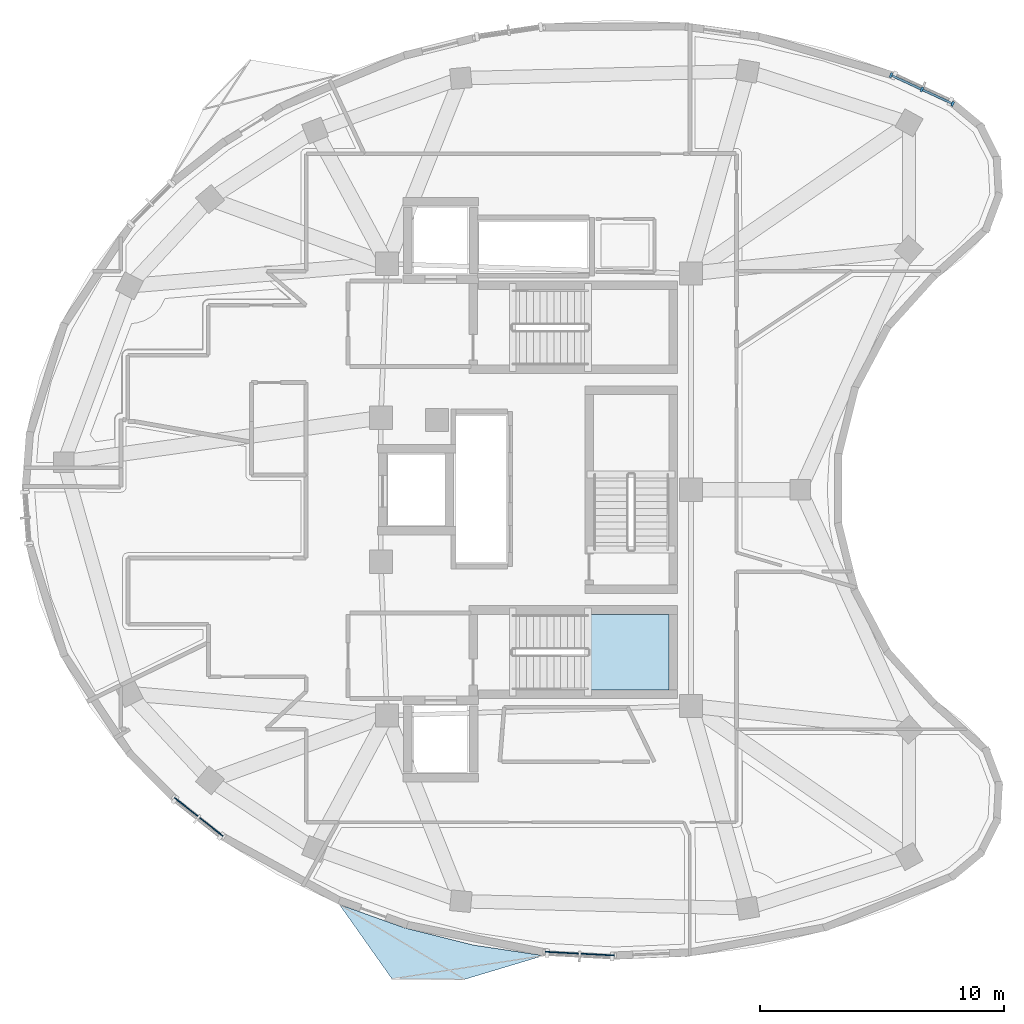
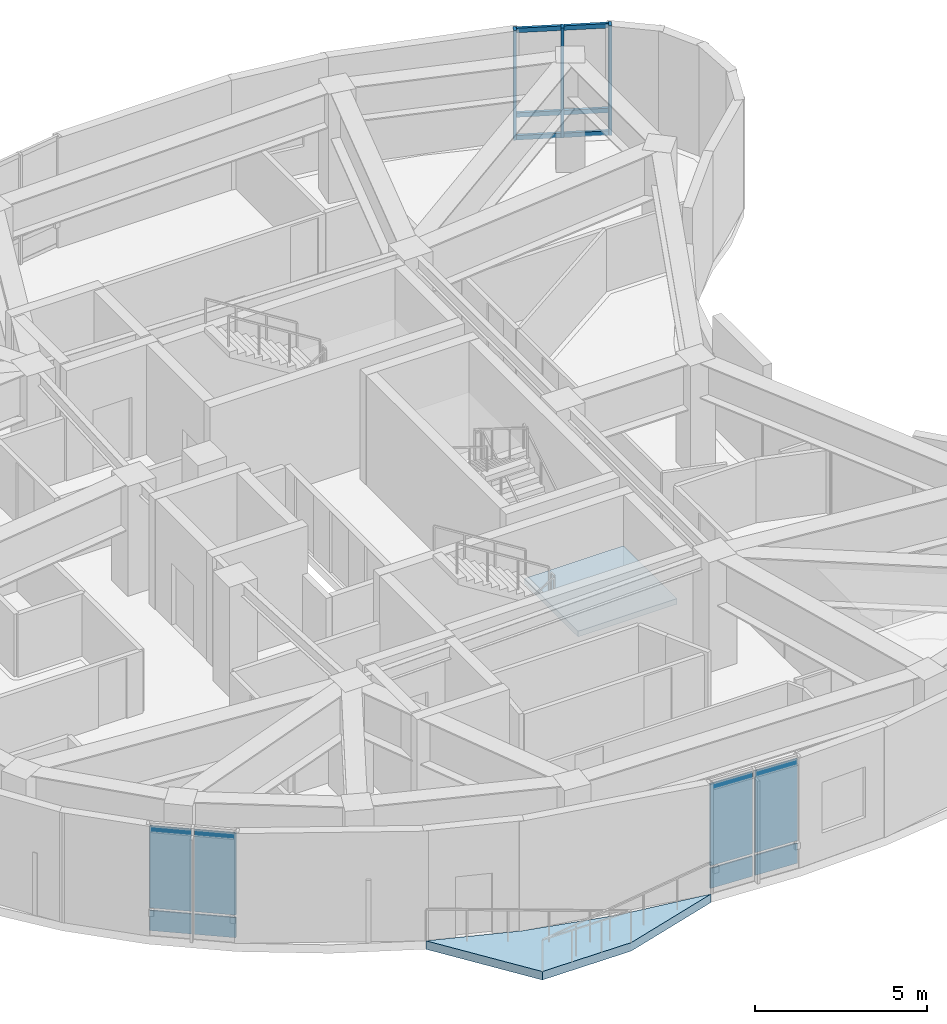
# One storey, part 4 of 12: 9 members, 8 plates, 2 slabs, 4 elements without a shape of their own.
"""IFC4 building model written with IfcOpenShell, lengths in metres."""

from ifc_helpers import new_model, si_unit, direction, frame, origin, origin_2d, place, context, subcontext, project, spatial, polyline, rectangle, outline, extrude, material, layer, layer_set, material_profile, profile_set, type_object, element, aggregate, save


model = new_model("IFC4")

# Units and contexts
model_context = context("Model", 3, precision=1e-05, world=origin(), true_north=direction((0.0, 1.0)))
body_context = subcontext(model_context, "Body", "Model", "MODEL_VIEW")
ifc_project = project(units=[si_unit("LENGTHUNIT", "METRE"), si_unit("AREAUNIT", "SQUARE_METRE"), si_unit("VOLUMEUNIT", "CUBIC_METRE"), si_unit("PLANEANGLEUNIT", "RADIAN"), si_unit("MASSUNIT", "GRAM", prefix="KILO")], contexts=[model_context])

# Site, building, storey
site_placement = place(None, origin())
site = spatial("IfcSite", under=ifc_project, at=site_placement, CompositionType="ELEMENT")
building_placement = place(site_placement, origin())
building = spatial("IfcBuilding", under=site, at=building_placement, Name="Korentha Bioscience Tower", CompositionType="ELEMENT")
storey_placement = place(building_placement, frame((0.0, 0.0, 297.60009765625)))
storey = spatial("IfcBuildingStorey", under=building, at=storey_placement, Name="L68", CompositionType="ELEMENT", Elevation=297.60009765625)

# Curtain wall, members
ifc_material_1 = material(Name="Thermally Broken Aluminium Frame", Category="aluminium")
ifc_layer_1 = layer(ifc_material_1, 0.219970703125, Name="Thermally Broken Aluminium Frame")
ifc_layer_set_1 = layer_set([ifc_layer_1], Name="Thermally Broken Aluminium Frame (CW-T2)")
curtain_wall_type = type_object("IfcCurtainWallType", Name="Solar-Screened Lab Unitised Curtain Wall CW-T2", PredefinedType="USERDEFINED", material=ifc_layer_set_1)
curtain_wall_1_placement = place(storey_placement, origin())
curtain_wall_1 = element("IfcCurtainWall", 1, at=curtain_wall_1_placement, inside=storey, type_object=curtain_wall_type, Name="L68 Curtain Wall 01", ObjectType="UNITISED", PredefinedType="USERDEFINED")
ifc_material_2 = material(Name="Anodised Aluminium 6063-T6", Category="aluminium")
ifc_material_profile_1 = material_profile(ifc_material_2, rectangle(XDim=0.090087890625, YDim=0.199951171875, at=origin_2d()), Name="Anodised Aluminium 6063-T6")
ifc_profile_set_1 = profile_set([ifc_material_profile_1], Name="Anodised Aluminium 6063-T6 (CW-MUL)")
member_type_1 = type_object("IfcMemberType", Name="Mullion RECT 90x200", PredefinedType="MULLION", material=ifc_profile_set_1)
member_1_placement = place(storey_placement, frame((48.2646484375, 42.802490234375, 0.0), z_axis=(0.0, 0.0, 1.0), x_axis=(-0.907204022278, 0.420690934016, 0.0)))
member_1 = element("IfcMember", 2, at=member_1_placement, type_object=member_type_1, Name="CW-L68-01 Mullion 1", PredefinedType="MULLION", context=body_context, shape_type="SweptSolid", body=[
    extrude(rectangle(XDim=0.090087890625, YDim=0.199951171875, at=origin_2d()), origin(), (0.0, 0.0, 1.0), 3.89990234375),
])
member_2_placement = place(storey_placement, frame((47.002197265625, 43.387939453125, 0.0), z_axis=(0.0, 0.0, 1.0), x_axis=(-0.907204022278, 0.420690934016, 0.0)))
member_2 = element("IfcMember", 3, at=member_2_placement, type_object=member_type_1, Name="CW-L68-01 Mullion 2", PredefinedType="MULLION", context=body_context, shape_type="SweptSolid", body=[
    extrude(rectangle(XDim=0.090087890625, YDim=0.199951171875, at=origin_2d()), origin(), (0.0, 0.0, 1.0), 3.89990234375),
])
member_3_placement = place(storey_placement, frame((45.739990234375, 43.973388671875, 0.0), z_axis=(0.0, 0.0, 1.0), x_axis=(-0.907204022278, 0.420690934016, 0.0)))
member_3 = element("IfcMember", 4, at=member_3_placement, type_object=member_type_1, Name="CW-L68-01 Mullion 3", PredefinedType="MULLION", context=body_context, shape_type="SweptSolid", body=[
    extrude(rectangle(XDim=0.090087890625, YDim=0.199951171875, at=origin_2d()), origin(), (0.0, 0.0, 1.0), 3.89990234375),
])
ifc_material_profile_2 = material_profile(ifc_material_2, rectangle(XDim=0.090087890625, YDim=0.159912109375, at=origin_2d()), Name="Anodised Aluminium 6063-T6")
ifc_profile_set_2 = profile_set([ifc_material_profile_2], Name="Anodised Aluminium 6063-T6 (CW-TRN)")
member_type_2 = type_object("IfcMemberType", Name="Transom RECT 90x160", PredefinedType="USERDEFINED", material=ifc_profile_set_2)
member_4_placement = place(storey_placement, frame((48.223876953125, 42.821533203125, 0.044921875), z_axis=(-0.907172669062, 0.420758539435, 0.0), x_axis=(-0.420758539435, -0.907172669062, 0.0)))
member_4 = element("IfcMember", 5, at=member_4_placement, type_object=member_type_2, Name="CW-L68-01 Bay 1 Transom 1", ObjectType="TRANSOM", PredefinedType="USERDEFINED", context=body_context, shape_type="SweptSolid", body=[
    extrude(rectangle(XDim=0.090087890625, YDim=0.159912109375, at=origin_2d()), origin(), (0.0, 0.0, 1.0), 1.301513671875),
])
member_5_placement = place(storey_placement, frame((48.223876953125, 42.821533203125, 0.849853515625), z_axis=(-0.907172669062, 0.420758539435, 0.0), x_axis=(-0.420758539435, -0.907172669062, 0.0)))
member_5 = element("IfcMember", 6, at=member_5_placement, type_object=member_type_2, Name="CW-L68-01 Bay 1 Transom 2", ObjectType="TRANSOM", PredefinedType="USERDEFINED", context=body_context, shape_type="SweptSolid", body=[
    extrude(rectangle(XDim=0.090087890625, YDim=0.159912109375, at=origin_2d()), origin(), (0.0, 0.0, 1.0), 1.301513671875),
])
member_6_placement = place(storey_placement, frame((48.223876953125, 42.821533203125, 3.85498046875), z_axis=(-0.907172669062, 0.420758539435, 0.0), x_axis=(-0.420758539435, -0.907172669062, 0.0)))
member_6 = element("IfcMember", 7, at=member_6_placement, type_object=member_type_2, Name="CW-L68-01 Bay 1 Transom 3", ObjectType="TRANSOM", PredefinedType="USERDEFINED", context=body_context, shape_type="SweptSolid", body=[
    extrude(rectangle(XDim=0.090087890625, YDim=0.159912109375, at=origin_2d()), origin(), (0.0, 0.0, 1.0), 1.301513671875),
])
member_7_placement = place(storey_placement, frame((46.96142578125, 43.406982421875, 0.044921875), z_axis=(-0.907244263807, 0.420604143808, 0.0), x_axis=(-0.420604143808, -0.907244263807, 0.0)))
member_7 = element("IfcMember", 8, at=member_7_placement, type_object=member_type_2, Name="CW-L68-01 Bay 2 Transom 1", ObjectType="TRANSOM", PredefinedType="USERDEFINED", context=body_context, shape_type="SweptSolid", body=[
    extrude(rectangle(XDim=0.090087890625, YDim=0.159912109375, at=origin_2d()), origin(), (0.0, 0.0, 1.0), 1.30126953125),
])
member_8_placement = place(storey_placement, frame((46.96142578125, 43.406982421875, 0.849853515625), z_axis=(-0.907244263807, 0.420604143808, 0.0), x_axis=(-0.420604143808, -0.907244263807, 0.0)))
member_8 = element("IfcMember", 9, at=member_8_placement, type_object=member_type_2, Name="CW-L68-01 Bay 2 Transom 2", ObjectType="TRANSOM", PredefinedType="USERDEFINED", context=body_context, shape_type="SweptSolid", body=[
    extrude(rectangle(XDim=0.090087890625, YDim=0.159912109375, at=origin_2d()), origin(), (0.0, 0.0, 1.0), 1.30126953125),
])
member_9_placement = place(storey_placement, frame((46.96142578125, 43.406982421875, 3.85498046875), z_axis=(-0.907244263807, 0.420604143808, 0.0), x_axis=(-0.420604143808, -0.907244263807, 0.0)))
member_9 = element("IfcMember", 10, at=member_9_placement, type_object=member_type_2, Name="CW-L68-01 Bay 2 Transom 3", ObjectType="TRANSOM", PredefinedType="USERDEFINED", context=body_context, shape_type="SweptSolid", body=[
    extrude(rectangle(XDim=0.090087890625, YDim=0.159912109375, at=origin_2d()), origin(), (0.0, 0.0, 1.0), 1.30126953125),
])
aggregate(curtain_wall_1, [member_1, member_2, member_3, member_4, member_5, member_6, member_7, member_8, member_9])

# Curtain wall, plates
curtain_wall_2_placement = place(storey_placement, origin())
curtain_wall_2 = element("IfcCurtainWall", 11, at=curtain_wall_2_placement, inside=storey, type_object=curtain_wall_type, Name="L68 Curtain Wall 25", ObjectType="UNITISED", PredefinedType="USERDEFINED")
ifc_material_3 = material(Name="Triple-Glazed Low-E Insulated Glass", Category="glass")
ifc_layer_2 = layer(ifc_material_3, 0.0439453125, Name="Triple-Glazed Low-E Insulated Glass")
ifc_layer_set_2 = layer_set([ifc_layer_2], Name="Triple-Glazed Low-E Insulated Glass (GL-44)")
plate_type = type_object("IfcPlateType", Name="Glazed Panel 44mm", PredefinedType="CURTAIN_PANEL", material=ifc_layer_set_2)
plate_1_placement = place(storey_placement, frame((16.877197265625, 14.0107421875, 0.08984375), z_axis=(0.0, 0.0, 1.0), x_axis=(0.78407560827, -0.620665320858, 0.0)))
plate_1 = element("IfcPlate", 12, at=plate_1_placement, type_object=plate_type, Name="CW-L68-25 Bay 1 Glazed Panel 1", PredefinedType="CURTAIN_PANEL", context=body_context, shape_type="SweptSolid", body=[
    extrude(rectangle(XDim=1.2265625, YDim=0.0439453125, at=origin_2d()), origin(), (0.0, 0.0, 1.0), 0.715087890625),
])
plate_2_placement = place(storey_placement, frame((16.877197265625, 14.0107421875, 0.894775390625), z_axis=(0.0, 0.0, 1.0), x_axis=(0.78407560827, -0.620665320858, 0.0)))
plate_2 = element("IfcPlate", 13, at=plate_2_placement, type_object=plate_type, Name="CW-L68-25 Bay 1 Glazed Panel 2", PredefinedType="CURTAIN_PANEL", context=body_context, shape_type="SweptSolid", body=[
    extrude(rectangle(XDim=1.2265625, YDim=0.0439453125, at=origin_2d()), origin(), (0.0, 0.0, 1.0), 2.9150390625),
])
plate_3_placement = place(storey_placement, frame((17.90966796875, 13.193603515625, 0.08984375), z_axis=(0.0, 0.0, 1.0), x_axis=(0.78407560827, -0.620665320858, 0.0)))
plate_3 = element("IfcPlate", 14, at=plate_3_placement, type_object=plate_type, Name="CW-L68-25 Bay 2 Glazed Panel 1", PredefinedType="CURTAIN_PANEL", context=body_context, shape_type="SweptSolid", body=[
    extrude(rectangle(XDim=1.2265625, YDim=0.0439453125, at=origin_2d()), origin(), (0.0, 0.0, 1.0), 0.715087890625),
])
plate_4_placement = place(storey_placement, frame((17.90966796875, 13.193603515625, 0.894775390625), z_axis=(0.0, 0.0, 1.0), x_axis=(0.78407560827, -0.620665320858, 0.0)))
plate_4 = element("IfcPlate", 15, at=plate_4_placement, type_object=plate_type, Name="CW-L68-25 Bay 2 Glazed Panel 2", PredefinedType="CURTAIN_PANEL", context=body_context, shape_type="SweptSolid", body=[
    extrude(rectangle(XDim=1.2265625, YDim=0.0439453125, at=origin_2d()), origin(), (0.0, 0.0, 1.0), 2.9150390625),
])
aggregate(curtain_wall_2, [plate_1, plate_2, plate_3, plate_4])

curtain_wall_3_placement = place(storey_placement, origin())
curtain_wall_3 = element("IfcCurtainWall", 16, at=curtain_wall_3_placement, inside=storey, type_object=curtain_wall_type, Name="L68 Curtain Wall 31", ObjectType="UNITISED", PredefinedType="USERDEFINED")
plate_5_placement = place(storey_placement, frame((32.263427734375, 8.043701171875, 0.08984375), z_axis=(0.0, 0.0, 1.0), x_axis=(0.998579324855, -0.053285382345, 0.0)))
plate_5 = element("IfcPlate", 17, at=plate_5_placement, type_object=plate_type, Name="CW-L68-31 Bay 1 Glazed Panel 1", PredefinedType="CURTAIN_PANEL", context=body_context, shape_type="SweptSolid", body=[
    extrude(rectangle(XDim=1.374755859375, YDim=0.0439453125, at=origin_2d()), origin(), (0.0, 0.0, 1.0), 0.715087890625),
])
plate_6_placement = place(storey_placement, frame((32.263427734375, 8.043701171875, 0.894775390625), z_axis=(0.0, 0.0, 1.0), x_axis=(0.998579324855, -0.053285382345, 0.0)))
plate_6 = element("IfcPlate", 18, at=plate_6_placement, type_object=plate_type, Name="CW-L68-31 Bay 1 Glazed Panel 2", PredefinedType="CURTAIN_PANEL", context=body_context, shape_type="SweptSolid", body=[
    extrude(rectangle(XDim=1.374755859375, YDim=0.0439453125, at=origin_2d()), origin(), (0.0, 0.0, 1.0), 2.9150390625),
])
plate_7_placement = place(storey_placement, frame((33.726318359375, 7.9658203125, 0.08984375), z_axis=(0.0, 0.0, 1.0), x_axis=(0.998579324855, -0.053285382345, 0.0)))
plate_7 = element("IfcPlate", 19, at=plate_7_placement, type_object=plate_type, Name="CW-L68-31 Bay 2 Glazed Panel 1", PredefinedType="CURTAIN_PANEL", context=body_context, shape_type="SweptSolid", body=[
    extrude(rectangle(XDim=1.374755859375, YDim=0.0439453125, at=origin_2d()), origin(), (0.0, 0.0, 1.0), 0.715087890625),
])
plate_8_placement = place(storey_placement, frame((33.726318359375, 7.9658203125, 0.894775390625), z_axis=(0.0, 0.0, 1.0), x_axis=(0.998579324855, -0.053285382345, 0.0)))
plate_8 = element("IfcPlate", 20, at=plate_8_placement, type_object=plate_type, Name="CW-L68-31 Bay 2 Glazed Panel 2", PredefinedType="CURTAIN_PANEL", context=body_context, shape_type="SweptSolid", body=[
    extrude(rectangle(XDim=1.374755859375, YDim=0.0439453125, at=origin_2d()), origin(), (0.0, 0.0, 1.0), 2.9150390625),
])
aggregate(curtain_wall_3, [plate_5, plate_6, plate_7, plate_8])

# Stair, slab
ifc_material_4 = material(Name="Precast Concrete C50", Category="concrete")
stair_type = type_object("IfcStairType", Name="Core Exit Dog-Leg Stair 1450", PredefinedType="HALF_TURN_STAIR", material=ifc_material_4)
stair_placement = place(storey_placement, origin())
stair = element("IfcStair", 21, at=stair_placement, inside=storey, type_object=stair_type, Name="L68 Tower South Pressurized Exit Stair ST-2", PredefinedType="HALF_TURN_STAIR")
ifc_material_5 = material(Name="Concrete C50", Category="concrete")
ifc_layer_3 = layer(ifc_material_5, 0.199951171875, Name="Concrete C50")
ifc_layer_set_3 = layer_set([ifc_layer_3], Name="Concrete C50 (SL-LND)")
slab_type_1 = type_object("IfcSlabType", Name="Landing Slab 200", PredefinedType="LANDING", material=ifc_layer_set_3)
slab_1_placement = place(storey_placement, frame((0.0, 0.0, 1.89990234375)))
slab_1 = element("IfcSlab", 22, at=slab_1_placement, type_object=slab_type_1, Name="ST-2 landing 1", PredefinedType="LANDING", context=body_context, shape_type="SweptSolid", body=[
    extrude(outline(polyline([(33.330078125, 18.800048828125), (36.64990234375, 18.800048828125), (36.64990234375, 21.89990234375), (33.330078125, 21.89990234375), (33.330078125, 18.800048828125)])), origin(), (0.0, 0.0, 1.0), 0.199951171875),
])
aggregate(stair, [slab_1])

# Slab
ifc_layer_4 = layer(ifc_material_5, 0.300048828125, Name="Concrete C50")
ifc_layer_set_4 = layer_set([ifc_layer_4], Name="Concrete C50 (BS-240)")
slab_type_2 = type_object("IfcSlabType", Name="Sawtooth Sun-Ledge Balcony Slab 240", PredefinedType="USERDEFINED", material=ifc_layer_set_4)
slab_2_placement = place(storey_placement, frame((0.0, 0.0, -0.300048828125)))
element("IfcSlab", 23, at=slab_2_placement, inside=storey, type_object=slab_type_2, Name="L68 Sun-Ledge Balcony 03", ObjectType="BALCONY", PredefinedType="USERDEFINED", context=body_context, shape_type="SweptSolid", body=[
    extrude(outline(polyline([(31.5185546875, 7.92333984375), (28.628173828125, 8.35546875), (25.82470703125, 9.056884765625), (23.1484375, 10.017333984375), (25.302978515625, 6.97119140625), (28.2763671875, 6.948974609375), (31.5185546875, 7.92333984375)])), origin(), (0.0, 0.0, 1.0), 0.300048828125),
])

save(model, "model.ifc")
